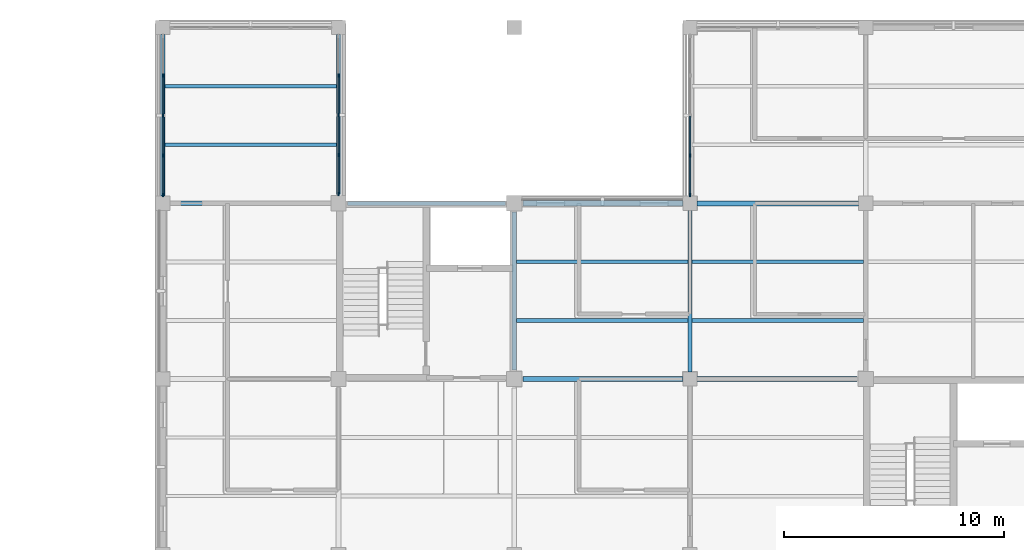
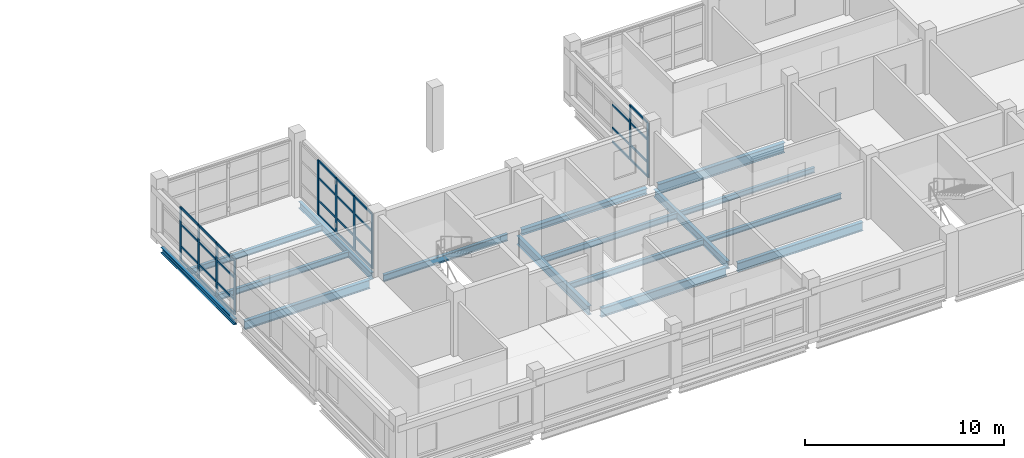
# One storey, part 52 of 107: 41 members, 16 beams, 3 elements without a shape of their own.
"""IFC4 building model written with IfcOpenShell, lengths in metres."""

from ifc_helpers import new_model, si_unit, derived_unit, direction, frame, origin, origin_2d, place, context, subcontext, project, spatial, rectangle, i_section, extrude, material, layer, layer_set, material_profile, profile_set, type_object, element, aggregate, save


model = new_model("IFC4")

# Units and contexts
model_context = context("Model", 3, precision=1e-05, world=origin(), true_north=direction((0.0, 1.0)))
body_context = subcontext(model_context, "Body", "Model", "MODEL_VIEW")
ifc_project = project(units=[si_unit("LENGTHUNIT", "METRE"), si_unit("AREAUNIT", "SQUARE_METRE"), si_unit("VOLUMEUNIT", "CUBIC_METRE"), si_unit("PLANEANGLEUNIT", "RADIAN"), si_unit("MASSUNIT", "GRAM", prefix="KILO"), derived_unit("THERMALTRANSMITTANCEUNIT", [(si_unit("MASSUNIT", "GRAM", prefix="KILO"), 1), (si_unit("TIMEUNIT", "SECOND"), -3), (si_unit("THERMODYNAMICTEMPERATUREUNIT", "KELVIN"), -1)])], contexts=[model_context])

# Site, building, storey
site_placement = place(None, origin())
site = spatial("IfcSite", under=ifc_project, at=site_placement, CompositionType="ELEMENT")
building_placement = place(site_placement, origin())
building = spatial("IfcBuilding", under=site, at=building_placement, Name="Veyamyaing Civic Hall", CompositionType="ELEMENT")
storey_placement = place(building_placement, frame((0.0, 0.0, 13.860107421875)))
storey = spatial("IfcBuildingStorey", under=building, at=storey_placement, Name="L03", CompositionType="ELEMENT", Elevation=13.860107421875)

# Beams
ifc_material_1 = material(Name="Steel ASTM A992", Category="steel")
ifc_material_profile_1 = material_profile(ifc_material_1, i_section(OverallWidth=0.22802734375, OverallDepth=0.60791015625, WebThickness=0.01123046875, FlangeThickness=0.017333984375, FilletRadius=0.012939453125, at=origin_2d()), Name="W610X113")
ifc_profile_set_1 = profile_set([ifc_material_profile_1], Name="Steel ASTM A992")
beam_type_1 = type_object("IfcBeamType", Name="B-06", PredefinedType="BEAM", material=ifc_profile_set_1)
beam_1_placement = place(storey_placement, frame((152.324951171875, 104.0, -0.55908203125), z_axis=(1.0, 0.0, 0.0), x_axis=(0.0, 1.0, 0.0)))
element("IfcBeam", 1, at=beam_1_placement, inside=storey, type_object=beam_type_1, Name="Girder B-06 L03 Grid P 20-21", PredefinedType="BEAM", context=body_context, shape_type="SweptSolid", body=[
    extrude(i_section(OverallWidth=0.22802734375, OverallDepth=0.60791015625, WebThickness=0.01123046875, FlangeThickness=0.017333984375, FilletRadius=0.012939453125, at=origin_2d()), origin(), (0.0, 0.0, 1.0), 7.35009765625),
])
ifc_material_profile_2 = material_profile(ifc_material_1, i_section(OverallWidth=0.208984375, OverallDepth=0.532958984375, WebThickness=0.01025390625, FlangeThickness=0.015625, FilletRadius=0.011962890625, at=origin_2d()), Name="W530X92")
ifc_profile_set_2 = profile_set([ifc_material_profile_2], Name="Steel ASTM A992")
beam_type_2 = type_object("IfcBeamType", Name="B-07", PredefinedType="BEAM", material=ifc_profile_set_2)
beam_2_placement = place(storey_placement, frame((128.324951171875, 104.0, -0.521728515625), z_axis=(1.0, 0.0, 0.0), x_axis=(0.0, 1.0, 0.0)))
element("IfcBeam", 2, at=beam_2_placement, inside=storey, type_object=beam_type_2, Name="Girder B-07 L03 Grid P 17-18", PredefinedType="BEAM", context=body_context, shape_type="SweptSolid", body=[
    extrude(i_section(OverallWidth=0.208984375, OverallDepth=0.532958984375, WebThickness=0.01025390625, FlangeThickness=0.015625, FilletRadius=0.011962890625, at=origin_2d()), origin(), (0.0, 0.0, 1.0), 7.275146484375),
])
ifc_material_profile_3 = material_profile(ifc_material_1, i_section(OverallWidth=0.2041015625, OverallDepth=0.35009765625, WebThickness=0.0078125, FlangeThickness=0.01513671875, FilletRadius=0.010009765625, at=origin_2d()), Name="W360X72")
ifc_profile_set_3 = profile_set([ifc_material_profile_3], Name="Steel ASTM A992")
beam_type_3 = type_object("IfcBeamType", Name="B-11", PredefinedType="SPANDREL", material=ifc_profile_set_3)
beam_3_placement = place(storey_placement, frame((128.0, 104.324951171875, -0.43017578125), z_axis=(0.0, 1.0, 0.0), x_axis=(-1.0, 0.0, 0.0)))
element("IfcBeam", 3, at=beam_3_placement, inside=storey, type_object=beam_type_3, Name="Girder B-11 L03 Grid 17 P-Q", PredefinedType="SPANDREL", context=body_context, shape_type="SweptSolid", body=[
    extrude(i_section(OverallWidth=0.2041015625, OverallDepth=0.35009765625, WebThickness=0.0078125, FlangeThickness=0.01513671875, FilletRadius=0.010009765625, at=origin_2d()), origin(), (0.0, 0.0, 1.0), 7.35009765625),
])
ifc_material_profile_4 = material_profile(ifc_material_1, i_section(OverallWidth=0.214111328125, OverallDepth=0.549072265625, WebThickness=0.0146484375, FlangeThickness=0.023681640625, FilletRadius=0.011962890625, at=origin_2d()), Name="W530X138")
ifc_profile_set_4 = profile_set([ifc_material_profile_4], Name="Steel ASTM A992")
beam_type_4 = type_object("IfcBeamType", Name="B-16", PredefinedType="BEAM", material=ifc_profile_set_4)
beam_4_placement = place(storey_placement, frame((144.39990234375, 96.0, -0.529541015625), z_axis=(1.0, 0.0, 0.0), x_axis=(0.0, 1.0, 0.0)))
element("IfcBeam", 4, at=beam_4_placement, inside=storey, type_object=beam_type_4, Name="Girder B-16 L03 Grid N 19-20", PredefinedType="BEAM", context=body_context, shape_type="SweptSolid", body=[
    extrude(i_section(OverallWidth=0.214111328125, OverallDepth=0.549072265625, WebThickness=0.0146484375, FlangeThickness=0.023681640625, FilletRadius=0.011962890625, at=origin_2d()), origin(), (0.0, 0.0, 1.0), 7.275146484375),
])
ifc_material_profile_5 = material_profile(ifc_material_1, i_section(OverallWidth=0.2109375, OverallDepth=0.5390625, WebThickness=0.01171875, FlangeThickness=0.018798828125, FilletRadius=0.011962890625, at=origin_2d()), Name="W530X109")
ifc_profile_set_5 = profile_set([ifc_material_profile_5], Name="Steel ASTM A992")
beam_type_5 = type_object("IfcBeamType", Name="B-17", PredefinedType="BEAM", material=ifc_profile_set_5)
beam_5_placement = place(storey_placement, frame((152.324951171875, 96.0, -0.524658203125), z_axis=(1.0, 0.0, 0.0), x_axis=(0.0, 1.0, 0.0)))
element("IfcBeam", 5, at=beam_5_placement, inside=storey, type_object=beam_type_5, Name="Girder B-17 L03 Grid N 20-21", PredefinedType="BEAM", context=body_context, shape_type="SweptSolid", body=[
    extrude(i_section(OverallWidth=0.2109375, OverallDepth=0.5390625, WebThickness=0.01171875, FlangeThickness=0.018798828125, FilletRadius=0.011962890625, at=origin_2d()), origin(), (0.0, 0.0, 1.0), 7.275146484375),
])
beam_6_placement = place(storey_placement, frame((144.0, 96.39990234375, -0.524658203125), z_axis=(0.0, 1.0, 0.0), x_axis=(-1.0, 0.0, 0.0)))
element("IfcBeam", 6, at=beam_6_placement, inside=storey, type_object=beam_type_5, Name="Girder B-17 L03 Grid 19 N-P", PredefinedType="BEAM", context=body_context, shape_type="SweptSolid", body=[
    extrude(i_section(OverallWidth=0.2109375, OverallDepth=0.5390625, WebThickness=0.01171875, FlangeThickness=0.018798828125, FilletRadius=0.011962890625, at=origin_2d()), origin(), (0.0, 0.0, 1.0), 7.2001953125),
])
ifc_material_profile_6 = material_profile(ifc_material_1, i_section(OverallWidth=0.194091796875, OverallDepth=0.468994140625, WebThickness=0.0126953125, FlangeThickness=0.0205078125, FilletRadius=0.010009765625, at=origin_2d()), Name="W460X106")
ifc_profile_set_6 = profile_set([ifc_material_profile_6], Name="Steel ASTM A992")
beam_type_6 = type_object("IfcBeamType", Name="B-18", PredefinedType="BEAM", material=ifc_profile_set_6)
beam_7_placement = place(storey_placement, frame((152.0, 96.324951171875, -0.489501953125), z_axis=(0.0, 1.0, 0.0), x_axis=(-1.0, 0.0, 0.0)))
element("IfcBeam", 7, at=beam_7_placement, inside=storey, type_object=beam_type_6, Name="Girder B-18 L03 Grid 20 N-P", PredefinedType="BEAM", context=body_context, shape_type="SweptSolid", body=[
    extrude(i_section(OverallWidth=0.194091796875, OverallDepth=0.468994140625, WebThickness=0.0126953125, FlangeThickness=0.0205078125, FilletRadius=0.010009765625, at=origin_2d()), origin(), (0.0, 0.0, 1.0), 7.35009765625),
])
ifc_material_profile_7 = material_profile(ifc_material_1, i_section(OverallWidth=0.180908203125, OverallDepth=0.4169921875, WebThickness=0.010986328125, FlangeThickness=0.018310546875, FilletRadius=0.010009765625, at=origin_2d()), Name="W410X85")
ifc_profile_set_7 = profile_set([ifc_material_profile_7], Name="Steel ASTM A992")
beam_type_7 = type_object("IfcBeamType", Name="B-19", PredefinedType="SPANDREL", material=ifc_profile_set_7)
beam_8_placement = place(storey_placement, frame((136.39990234375, 104.0, -0.463623046875), z_axis=(1.0, 0.0, 0.0), x_axis=(0.0, 1.0, 0.0)))
element("IfcBeam", 8, at=beam_8_placement, inside=storey, type_object=beam_type_7, Name="Girder B-19 L03 Grid P 18-19", PredefinedType="SPANDREL", context=body_context, shape_type="SweptSolid", body=[
    extrude(i_section(OverallWidth=0.180908203125, OverallDepth=0.4169921875, WebThickness=0.010986328125, FlangeThickness=0.018310546875, FilletRadius=0.010009765625, at=origin_2d()), origin(), (0.0, 0.0, 1.0), 7.2001953125),
])
beam_9_placement = place(storey_placement, frame((136.0, 104.39990234375, -0.463623046875), z_axis=(0.0, 1.0, 0.0), x_axis=(-1.0, 0.0, 0.0)))
element("IfcBeam", 9, at=beam_9_placement, inside=storey, type_object=beam_type_7, Name="Girder B-19 L03 Grid 18 P-Q", PredefinedType="SPANDREL", context=body_context, shape_type="SweptSolid", body=[
    extrude(i_section(OverallWidth=0.180908203125, OverallDepth=0.4169921875, WebThickness=0.010986328125, FlangeThickness=0.018310546875, FilletRadius=0.010009765625, at=origin_2d()), origin(), (0.0, 0.0, 1.0), 7.275146484375),
])
ifc_material_profile_8 = material_profile(ifc_material_1, i_section(OverallWidth=0.25390625, OverallDepth=0.35302734375, WebThickness=0.009521484375, FlangeThickness=0.016357421875, FilletRadius=0.011962890625, at=origin_2d()), Name="W360X91")
ifc_profile_set_8 = profile_set([ifc_material_profile_8], Name="Steel ASTM A992")
beam_type_8 = type_object("IfcBeamType", Name="B-20", PredefinedType="SPANDREL", material=ifc_profile_set_8)
beam_10_placement = place(storey_placement, frame((144.39990234375, 104.0, -0.431640625), z_axis=(1.0, 0.0, 0.0), x_axis=(0.0, 1.0, 0.0)))
element("IfcBeam", 10, at=beam_10_placement, inside=storey, type_object=beam_type_8, Name="Girder B-20 L03 Grid P 19-20", PredefinedType="SPANDREL", context=body_context, shape_type="SweptSolid", body=[
    extrude(i_section(OverallWidth=0.25390625, OverallDepth=0.35302734375, WebThickness=0.009521484375, FlangeThickness=0.016357421875, FilletRadius=0.011962890625, at=origin_2d()), origin(), (0.0, 0.0, 1.0), 7.275146484375),
])

# Curtain wall, members
ifc_material_2 = material(Name="Anodised aluminium 6063-T6", Category="aluminium")
ifc_layer = layer(ifc_material_2, 0.159912109375, Name="Anodised aluminium 6063-T6")
ifc_layer_set = layer_set([ifc_layer], Name="Anodised aluminium 6063-T6")
curtain_wall_type = type_object("IfcCurtainWallType", Name="CW-07", PredefinedType="NOTDEFINED", material=ifc_layer_set)
curtain_wall_1_placement = place(storey_placement, origin())
curtain_wall_1 = element("IfcCurtainWall", 11, at=curtain_wall_1_placement, inside=storey, type_object=curtain_wall_type, Name="Unitized curtain wall CW-07 L03 W 17.14", PredefinedType="NOTDEFINED")
ifc_material_profile_9 = material_profile(ifc_material_2, rectangle(XDim=0.06494140625, YDim=0.159912109375, at=origin_2d()), Name="ALU-MUL-65X160")
ifc_profile_set_9 = profile_set([ifc_material_profile_9], Name="Anodised aluminium 6063-T6")
member_type_1 = type_object("IfcMemberType", Name="CWM-01", PredefinedType="MULLION", material=ifc_profile_set_9)
member_1_placement = place(storey_placement, frame((128.0, 104.387451171875, 0.0), z_axis=(0.0, 0.0, 1.0), x_axis=(-1.0, 0.0, 0.0)))
member_1 = element("IfcMember", 12, at=member_1_placement, type_object=member_type_1, Name="CW-07 mullion 1", PredefinedType="MULLION", context=body_context, shape_type="SweptSolid", body=[
    extrude(rectangle(XDim=0.06494140625, YDim=0.159912109375, at=origin_2d()), origin(), (0.0, 0.0, 1.0), 3.2998046875),
])
member_2_placement = place(storey_placement, frame((128.0, 106.177490234375, 0.0), z_axis=(0.0, 0.0, 1.0), x_axis=(-1.0, 0.0, 0.0)))
member_2 = element("IfcMember", 13, at=member_2_placement, type_object=member_type_1, Name="CW-07 mullion 2", PredefinedType="MULLION", context=body_context, shape_type="SweptSolid", body=[
    extrude(rectangle(XDim=0.06494140625, YDim=0.159912109375, at=origin_2d()), origin(), (0.0, 0.0, 1.0), 3.2998046875),
])
member_3_placement = place(storey_placement, frame((128.0, 108.0, 0.0), z_axis=(0.0, 0.0, 1.0), x_axis=(-1.0, 0.0, 0.0)))
member_3 = element("IfcMember", 14, at=member_3_placement, type_object=member_type_1, Name="CW-07 mullion 3", PredefinedType="MULLION", context=body_context, shape_type="SweptSolid", body=[
    extrude(rectangle(XDim=0.06494140625, YDim=0.159912109375, at=origin_2d()), origin(), (0.0, 0.0, 1.0), 3.2998046875),
])
member_4_placement = place(storey_placement, frame((128.0, 109.822509765625, 0.0), z_axis=(0.0, 0.0, 1.0), x_axis=(-1.0, 0.0, 0.0)))
member_4 = element("IfcMember", 15, at=member_4_placement, type_object=member_type_1, Name="CW-07 mullion 4", PredefinedType="MULLION", context=body_context, shape_type="SweptSolid", body=[
    extrude(rectangle(XDim=0.06494140625, YDim=0.159912109375, at=origin_2d()), origin(), (0.0, 0.0, 1.0), 3.2998046875),
])

curtain_wall_2_placement = place(storey_placement, origin())
curtain_wall_2 = element("IfcCurtainWall", 16, at=curtain_wall_2_placement, inside=storey, type_object=curtain_wall_type, Name="Unitized curtain wall CW-07 L03 E 17.14", PredefinedType="NOTDEFINED")
member_5_placement = place(storey_placement, frame((136.0, 104.41259765625, 0.0), z_axis=(0.0, 0.0, 1.0), x_axis=(-1.0, 0.0, 0.0)))
member_5 = element("IfcMember", 17, at=member_5_placement, type_object=member_type_1, Name="CW-07 mullion 1", PredefinedType="MULLION", context=body_context, shape_type="SweptSolid", body=[
    extrude(rectangle(XDim=0.06494140625, YDim=0.159912109375, at=origin_2d()), origin(), (0.0, 0.0, 1.0), 3.364013671875),
])
member_6_placement = place(storey_placement, frame((136.0, 106.1962890625, 0.0), z_axis=(0.0, 0.0, 1.0), x_axis=(-1.0, 0.0, 0.0)))
member_6 = element("IfcMember", 18, at=member_6_placement, type_object=member_type_1, Name="CW-07 mullion 2", PredefinedType="MULLION", context=body_context, shape_type="SweptSolid", body=[
    extrude(rectangle(XDim=0.06494140625, YDim=0.159912109375, at=origin_2d()), origin(), (0.0, 0.0, 1.0), 3.364013671875),
])
member_7_placement = place(storey_placement, frame((136.0, 108.012451171875, 0.0), z_axis=(0.0, 0.0, 1.0), x_axis=(-1.0, 0.0, 0.0)))
member_7 = element("IfcMember", 19, at=member_7_placement, type_object=member_type_1, Name="CW-07 mullion 3", PredefinedType="MULLION", context=body_context, shape_type="SweptSolid", body=[
    extrude(rectangle(XDim=0.06494140625, YDim=0.159912109375, at=origin_2d()), origin(), (0.0, 0.0, 1.0), 3.364013671875),
])
member_8_placement = place(storey_placement, frame((136.0, 109.828857421875, 0.0), z_axis=(0.0, 0.0, 1.0), x_axis=(-1.0, 0.0, 0.0)))
member_8 = element("IfcMember", 20, at=member_8_placement, type_object=member_type_1, Name="CW-07 mullion 4", PredefinedType="MULLION", context=body_context, shape_type="SweptSolid", body=[
    extrude(rectangle(XDim=0.06494140625, YDim=0.159912109375, at=origin_2d()), origin(), (0.0, 0.0, 1.0), 3.364013671875),
])

curtain_wall_3_placement = place(storey_placement, origin())
curtain_wall_3 = element("IfcCurtainWall", 21, at=curtain_wall_3_placement, inside=storey, type_object=curtain_wall_type, Name="Unitized curtain wall CW-07 L03 W 20.14", PredefinedType="NOTDEFINED")
member_9_placement = place(storey_placement, frame((152.0, 104.387451171875, 0.0), z_axis=(0.0, 0.0, 1.0), x_axis=(-1.0, 0.0, 0.0)))
member_9 = element("IfcMember", 22, at=member_9_placement, type_object=member_type_1, Name="CW-07 mullion 1", PredefinedType="MULLION", context=body_context, shape_type="SweptSolid", body=[
    extrude(rectangle(XDim=0.06494140625, YDim=0.159912109375, at=origin_2d()), origin(), (0.0, 0.0, 1.0), 3.366943359375),
])
member_10_placement = place(storey_placement, frame((152.0, 106.177490234375, 0.0), z_axis=(0.0, 0.0, 1.0), x_axis=(-1.0, 0.0, 0.0)))
member_10 = element("IfcMember", 23, at=member_10_placement, type_object=member_type_1, Name="CW-07 mullion 2", PredefinedType="MULLION", context=body_context, shape_type="SweptSolid", body=[
    extrude(rectangle(XDim=0.06494140625, YDim=0.159912109375, at=origin_2d()), origin(), (0.0, 0.0, 1.0), 3.366943359375),
])

# Member
ifc_material_profile_10 = material_profile(ifc_material_2, rectangle(XDim=0.06494140625, YDim=0.1201171875, at=origin_2d()), Name="ALU-TRN-65X120")
ifc_profile_set_10 = profile_set([ifc_material_profile_10], Name="Anodised aluminium 6063-T6")
member_type_2 = type_object("IfcMemberType", Name="CWT-01", PredefinedType="USERDEFINED", material=ifc_profile_set_10)
member_11_placement = place(storey_placement, frame((128.0, 104.419921875, 0.032470703125), z_axis=(0.0, 1.0, 0.0), x_axis=(-1.0, 0.0, 0.0)))
member_11 = element("IfcMember", 24, at=member_11_placement, type_object=member_type_2, Name="CW-07 transom 1.1", ObjectType="TRANSOM", PredefinedType="USERDEFINED", context=body_context, shape_type="SweptSolid", body=[
    extrude(rectangle(XDim=0.06494140625, YDim=0.1201171875, at=origin_2d()), origin(), (0.0, 0.0, 1.0), 1.72509765625),
])

member_12_placement = place(storey_placement, frame((128.0, 104.419921875, 0.89990234375), z_axis=(0.0, 1.0, 0.0), x_axis=(-1.0, 0.0, 0.0)))
member_12 = element("IfcMember", 25, at=member_12_placement, type_object=member_type_2, Name="CW-07 transom 1.2", ObjectType="TRANSOM", PredefinedType="USERDEFINED", context=body_context, shape_type="SweptSolid", body=[
    extrude(rectangle(XDim=0.06494140625, YDim=0.1201171875, at=origin_2d()), origin(), (0.0, 0.0, 1.0), 1.72509765625),
])

member_13_placement = place(storey_placement, frame((128.0, 104.419921875, 2.243896484375), z_axis=(0.0, 1.0, 0.0), x_axis=(-1.0, 0.0, 0.0)))
member_13 = element("IfcMember", 26, at=member_13_placement, type_object=member_type_2, Name="CW-07 transom 1.3", ObjectType="TRANSOM", PredefinedType="USERDEFINED", context=body_context, shape_type="SweptSolid", body=[
    extrude(rectangle(XDim=0.06494140625, YDim=0.1201171875, at=origin_2d()), origin(), (0.0, 0.0, 1.0), 1.72509765625),
])

member_14_placement = place(storey_placement, frame((128.0, 104.419921875, 3.267333984375), z_axis=(0.0, 1.0, 0.0), x_axis=(-1.0, 0.0, 0.0)))
member_14 = element("IfcMember", 27, at=member_14_placement, type_object=member_type_2, Name="CW-07 transom 1.4", ObjectType="TRANSOM", PredefinedType="USERDEFINED", context=body_context, shape_type="SweptSolid", body=[
    extrude(rectangle(XDim=0.06494140625, YDim=0.1201171875, at=origin_2d()), origin(), (0.0, 0.0, 1.0), 1.72509765625),
])

member_15_placement = place(storey_placement, frame((128.0, 106.2099609375, 0.032470703125), z_axis=(0.0, 1.0, 0.0), x_axis=(-1.0, 0.0, 0.0)))
member_15 = element("IfcMember", 28, at=member_15_placement, type_object=member_type_2, Name="CW-07 transom 2.1", ObjectType="TRANSOM", PredefinedType="USERDEFINED", context=body_context, shape_type="SweptSolid", body=[
    extrude(rectangle(XDim=0.06494140625, YDim=0.1201171875, at=origin_2d()), origin(), (0.0, 0.0, 1.0), 1.757568359375),
])

member_16_placement = place(storey_placement, frame((128.0, 106.2099609375, 0.89990234375), z_axis=(0.0, 1.0, 0.0), x_axis=(-1.0, 0.0, 0.0)))
member_16 = element("IfcMember", 29, at=member_16_placement, type_object=member_type_2, Name="CW-07 transom 2.2", ObjectType="TRANSOM", PredefinedType="USERDEFINED", context=body_context, shape_type="SweptSolid", body=[
    extrude(rectangle(XDim=0.06494140625, YDim=0.1201171875, at=origin_2d()), origin(), (0.0, 0.0, 1.0), 1.757568359375),
])

member_17_placement = place(storey_placement, frame((128.0, 106.2099609375, 2.243896484375), z_axis=(0.0, 1.0, 0.0), x_axis=(-1.0, 0.0, 0.0)))
member_17 = element("IfcMember", 30, at=member_17_placement, type_object=member_type_2, Name="CW-07 transom 2.3", ObjectType="TRANSOM", PredefinedType="USERDEFINED", context=body_context, shape_type="SweptSolid", body=[
    extrude(rectangle(XDim=0.06494140625, YDim=0.1201171875, at=origin_2d()), origin(), (0.0, 0.0, 1.0), 1.757568359375),
])

member_18_placement = place(storey_placement, frame((128.0, 106.2099609375, 3.267333984375), z_axis=(0.0, 1.0, 0.0), x_axis=(-1.0, 0.0, 0.0)))
member_18 = element("IfcMember", 31, at=member_18_placement, type_object=member_type_2, Name="CW-07 transom 2.4", ObjectType="TRANSOM", PredefinedType="USERDEFINED", context=body_context, shape_type="SweptSolid", body=[
    extrude(rectangle(XDim=0.06494140625, YDim=0.1201171875, at=origin_2d()), origin(), (0.0, 0.0, 1.0), 1.757568359375),
])

member_19_placement = place(storey_placement, frame((128.0, 108.032470703125, 0.032470703125), z_axis=(0.0, 1.0, 0.0), x_axis=(-1.0, 0.0, 0.0)))
member_19 = element("IfcMember", 32, at=member_19_placement, type_object=member_type_2, Name="CW-07 transom 3.1", ObjectType="TRANSOM", PredefinedType="USERDEFINED", context=body_context, shape_type="SweptSolid", body=[
    extrude(rectangle(XDim=0.06494140625, YDim=0.1201171875, at=origin_2d()), origin(), (0.0, 0.0, 1.0), 1.757568359375),
])

member_20_placement = place(storey_placement, frame((128.0, 108.032470703125, 0.89990234375), z_axis=(0.0, 1.0, 0.0), x_axis=(-1.0, 0.0, 0.0)))
member_20 = element("IfcMember", 33, at=member_20_placement, type_object=member_type_2, Name="CW-07 transom 3.2", ObjectType="TRANSOM", PredefinedType="USERDEFINED", context=body_context, shape_type="SweptSolid", body=[
    extrude(rectangle(XDim=0.06494140625, YDim=0.1201171875, at=origin_2d()), origin(), (0.0, 0.0, 1.0), 1.757568359375),
])

member_21_placement = place(storey_placement, frame((128.0, 108.032470703125, 2.243896484375), z_axis=(0.0, 1.0, 0.0), x_axis=(-1.0, 0.0, 0.0)))
member_21 = element("IfcMember", 34, at=member_21_placement, type_object=member_type_2, Name="CW-07 transom 3.3", ObjectType="TRANSOM", PredefinedType="USERDEFINED", context=body_context, shape_type="SweptSolid", body=[
    extrude(rectangle(XDim=0.06494140625, YDim=0.1201171875, at=origin_2d()), origin(), (0.0, 0.0, 1.0), 1.757568359375),
])

member_22_placement = place(storey_placement, frame((128.0, 108.032470703125, 3.267333984375), z_axis=(0.0, 1.0, 0.0), x_axis=(-1.0, 0.0, 0.0)))
member_22 = element("IfcMember", 35, at=member_22_placement, type_object=member_type_2, Name="CW-07 transom 3.4", ObjectType="TRANSOM", PredefinedType="USERDEFINED", context=body_context, shape_type="SweptSolid", body=[
    extrude(rectangle(XDim=0.06494140625, YDim=0.1201171875, at=origin_2d()), origin(), (0.0, 0.0, 1.0), 1.757568359375),
])

aggregate(curtain_wall_1, [member_1, member_2, member_3, member_4, member_11, member_12, member_13, member_14, member_15, member_16, member_17, member_18, member_19, member_20, member_21, member_22])

member_23_placement = place(storey_placement, frame((136.0, 104.445068359375, 0.032470703125), z_axis=(0.0, 1.0, 0.0), x_axis=(-1.0, 0.0, 0.0)))
member_23 = element("IfcMember", 36, at=member_23_placement, type_object=member_type_2, Name="CW-07 transom 1.1", ObjectType="TRANSOM", PredefinedType="USERDEFINED", context=body_context, shape_type="SweptSolid", body=[
    extrude(rectangle(XDim=0.06494140625, YDim=0.1201171875, at=origin_2d()), origin(), (0.0, 0.0, 1.0), 1.71875),
])

member_24_placement = place(storey_placement, frame((136.0, 104.445068359375, 0.89990234375), z_axis=(0.0, 1.0, 0.0), x_axis=(-1.0, 0.0, 0.0)))
member_24 = element("IfcMember", 37, at=member_24_placement, type_object=member_type_2, Name="CW-07 transom 1.2", ObjectType="TRANSOM", PredefinedType="USERDEFINED", context=body_context, shape_type="SweptSolid", body=[
    extrude(rectangle(XDim=0.06494140625, YDim=0.1201171875, at=origin_2d()), origin(), (0.0, 0.0, 1.0), 1.71875),
])

member_25_placement = place(storey_placement, frame((136.0, 104.445068359375, 2.287353515625), z_axis=(0.0, 1.0, 0.0), x_axis=(-1.0, 0.0, 0.0)))
member_25 = element("IfcMember", 38, at=member_25_placement, type_object=member_type_2, Name="CW-07 transom 1.3", ObjectType="TRANSOM", PredefinedType="USERDEFINED", context=body_context, shape_type="SweptSolid", body=[
    extrude(rectangle(XDim=0.06494140625, YDim=0.1201171875, at=origin_2d()), origin(), (0.0, 0.0, 1.0), 1.71875),
])

member_26_placement = place(storey_placement, frame((136.0, 104.445068359375, 3.331298828125), z_axis=(0.0, 1.0, 0.0), x_axis=(-1.0, 0.0, 0.0)))
member_26 = element("IfcMember", 39, at=member_26_placement, type_object=member_type_2, Name="CW-07 transom 1.4", ObjectType="TRANSOM", PredefinedType="USERDEFINED", context=body_context, shape_type="SweptSolid", body=[
    extrude(rectangle(XDim=0.06494140625, YDim=0.1201171875, at=origin_2d()), origin(), (0.0, 0.0, 1.0), 1.71875),
])

member_27_placement = place(storey_placement, frame((136.0, 106.228759765625, 0.032470703125), z_axis=(0.0, 1.0, 0.0), x_axis=(-1.0, 0.0, 0.0)))
member_27 = element("IfcMember", 40, at=member_27_placement, type_object=member_type_2, Name="CW-07 transom 2.1", ObjectType="TRANSOM", PredefinedType="USERDEFINED", context=body_context, shape_type="SweptSolid", body=[
    extrude(rectangle(XDim=0.06494140625, YDim=0.1201171875, at=origin_2d()), origin(), (0.0, 0.0, 1.0), 1.751220703125),
])

member_28_placement = place(storey_placement, frame((136.0, 106.228759765625, 0.89990234375), z_axis=(0.0, 1.0, 0.0), x_axis=(-1.0, 0.0, 0.0)))
member_28 = element("IfcMember", 41, at=member_28_placement, type_object=member_type_2, Name="CW-07 transom 2.2", ObjectType="TRANSOM", PredefinedType="USERDEFINED", context=body_context, shape_type="SweptSolid", body=[
    extrude(rectangle(XDim=0.06494140625, YDim=0.1201171875, at=origin_2d()), origin(), (0.0, 0.0, 1.0), 1.751220703125),
])

member_29_placement = place(storey_placement, frame((136.0, 106.228759765625, 2.287353515625), z_axis=(0.0, 1.0, 0.0), x_axis=(-1.0, 0.0, 0.0)))
member_29 = element("IfcMember", 42, at=member_29_placement, type_object=member_type_2, Name="CW-07 transom 2.3", ObjectType="TRANSOM", PredefinedType="USERDEFINED", context=body_context, shape_type="SweptSolid", body=[
    extrude(rectangle(XDim=0.06494140625, YDim=0.1201171875, at=origin_2d()), origin(), (0.0, 0.0, 1.0), 1.751220703125),
])

member_30_placement = place(storey_placement, frame((136.0, 106.228759765625, 3.331298828125), z_axis=(0.0, 1.0, 0.0), x_axis=(-1.0, 0.0, 0.0)))
member_30 = element("IfcMember", 43, at=member_30_placement, type_object=member_type_2, Name="CW-07 transom 2.4", ObjectType="TRANSOM", PredefinedType="USERDEFINED", context=body_context, shape_type="SweptSolid", body=[
    extrude(rectangle(XDim=0.06494140625, YDim=0.1201171875, at=origin_2d()), origin(), (0.0, 0.0, 1.0), 1.751220703125),
])

member_31_placement = place(storey_placement, frame((136.0, 108.044921875, 0.032470703125), z_axis=(0.0, 1.0, 0.0), x_axis=(-1.0, 0.0, 0.0)))
member_31 = element("IfcMember", 44, at=member_31_placement, type_object=member_type_2, Name="CW-07 transom 3.1", ObjectType="TRANSOM", PredefinedType="USERDEFINED", context=body_context, shape_type="SweptSolid", body=[
    extrude(rectangle(XDim=0.06494140625, YDim=0.1201171875, at=origin_2d()), origin(), (0.0, 0.0, 1.0), 1.751220703125),
])

member_32_placement = place(storey_placement, frame((136.0, 108.044921875, 0.89990234375), z_axis=(0.0, 1.0, 0.0), x_axis=(-1.0, 0.0, 0.0)))
member_32 = element("IfcMember", 45, at=member_32_placement, type_object=member_type_2, Name="CW-07 transom 3.2", ObjectType="TRANSOM", PredefinedType="USERDEFINED", context=body_context, shape_type="SweptSolid", body=[
    extrude(rectangle(XDim=0.06494140625, YDim=0.1201171875, at=origin_2d()), origin(), (0.0, 0.0, 1.0), 1.751220703125),
])

member_33_placement = place(storey_placement, frame((136.0, 108.044921875, 2.287353515625), z_axis=(0.0, 1.0, 0.0), x_axis=(-1.0, 0.0, 0.0)))
member_33 = element("IfcMember", 46, at=member_33_placement, type_object=member_type_2, Name="CW-07 transom 3.3", ObjectType="TRANSOM", PredefinedType="USERDEFINED", context=body_context, shape_type="SweptSolid", body=[
    extrude(rectangle(XDim=0.06494140625, YDim=0.1201171875, at=origin_2d()), origin(), (0.0, 0.0, 1.0), 1.751220703125),
])

member_34_placement = place(storey_placement, frame((136.0, 108.044921875, 3.331298828125), z_axis=(0.0, 1.0, 0.0), x_axis=(-1.0, 0.0, 0.0)))
member_34 = element("IfcMember", 47, at=member_34_placement, type_object=member_type_2, Name="CW-07 transom 3.4", ObjectType="TRANSOM", PredefinedType="USERDEFINED", context=body_context, shape_type="SweptSolid", body=[
    extrude(rectangle(XDim=0.06494140625, YDim=0.1201171875, at=origin_2d()), origin(), (0.0, 0.0, 1.0), 1.751220703125),
])

aggregate(curtain_wall_2, [member_5, member_6, member_7, member_8, member_23, member_24, member_25, member_26, member_27, member_28, member_29, member_30, member_31, member_32, member_33, member_34])

member_35_placement = place(storey_placement, frame((152.0, 104.419921875, 0.032470703125), z_axis=(0.0, 1.0, 0.0), x_axis=(-1.0, 0.0, 0.0)))
member_35 = element("IfcMember", 48, at=member_35_placement, type_object=member_type_2, Name="CW-07 transom 1.1", ObjectType="TRANSOM", PredefinedType="USERDEFINED", context=body_context, shape_type="SweptSolid", body=[
    extrude(rectangle(XDim=0.06494140625, YDim=0.1201171875, at=origin_2d()), origin(), (0.0, 0.0, 1.0), 1.72509765625),
])

member_36_placement = place(storey_placement, frame((152.0, 104.419921875, 0.89990234375), z_axis=(0.0, 1.0, 0.0), x_axis=(-1.0, 0.0, 0.0)))
member_36 = element("IfcMember", 49, at=member_36_placement, type_object=member_type_2, Name="CW-07 transom 1.2", ObjectType="TRANSOM", PredefinedType="USERDEFINED", context=body_context, shape_type="SweptSolid", body=[
    extrude(rectangle(XDim=0.06494140625, YDim=0.1201171875, at=origin_2d()), origin(), (0.0, 0.0, 1.0), 1.72509765625),
])

member_37_placement = place(storey_placement, frame((152.0, 104.419921875, 2.28955078125), z_axis=(0.0, 1.0, 0.0), x_axis=(-1.0, 0.0, 0.0)))
member_37 = element("IfcMember", 50, at=member_37_placement, type_object=member_type_2, Name="CW-07 transom 1.3", ObjectType="TRANSOM", PredefinedType="USERDEFINED", context=body_context, shape_type="SweptSolid", body=[
    extrude(rectangle(XDim=0.06494140625, YDim=0.1201171875, at=origin_2d()), origin(), (0.0, 0.0, 1.0), 1.72509765625),
])

member_38_placement = place(storey_placement, frame((152.0, 104.419921875, 3.33447265625), z_axis=(0.0, 1.0, 0.0), x_axis=(-1.0, 0.0, 0.0)))
member_38 = element("IfcMember", 51, at=member_38_placement, type_object=member_type_2, Name="CW-07 transom 1.4", ObjectType="TRANSOM", PredefinedType="USERDEFINED", context=body_context, shape_type="SweptSolid", body=[
    extrude(rectangle(XDim=0.06494140625, YDim=0.1201171875, at=origin_2d()), origin(), (0.0, 0.0, 1.0), 1.72509765625),
])

member_39_placement = place(storey_placement, frame((152.0, 106.2099609375, 0.032470703125), z_axis=(0.0, 1.0, 0.0), x_axis=(-1.0, 0.0, 0.0)))
member_39 = element("IfcMember", 52, at=member_39_placement, type_object=member_type_2, Name="CW-07 transom 2.1", ObjectType="TRANSOM", PredefinedType="USERDEFINED", context=body_context, shape_type="SweptSolid", body=[
    extrude(rectangle(XDim=0.06494140625, YDim=0.1201171875, at=origin_2d()), origin(), (0.0, 0.0, 1.0), 1.757568359375),
])

member_40_placement = place(storey_placement, frame((152.0, 106.2099609375, 0.89990234375), z_axis=(0.0, 1.0, 0.0), x_axis=(-1.0, 0.0, 0.0)))
member_40 = element("IfcMember", 53, at=member_40_placement, type_object=member_type_2, Name="CW-07 transom 2.2", ObjectType="TRANSOM", PredefinedType="USERDEFINED", context=body_context, shape_type="SweptSolid", body=[
    extrude(rectangle(XDim=0.06494140625, YDim=0.1201171875, at=origin_2d()), origin(), (0.0, 0.0, 1.0), 1.757568359375),
])

member_41_placement = place(storey_placement, frame((152.0, 106.2099609375, 2.28955078125), z_axis=(0.0, 1.0, 0.0), x_axis=(-1.0, 0.0, 0.0)))
member_41 = element("IfcMember", 54, at=member_41_placement, type_object=member_type_2, Name="CW-07 transom 2.3", ObjectType="TRANSOM", PredefinedType="USERDEFINED", context=body_context, shape_type="SweptSolid", body=[
    extrude(rectangle(XDim=0.06494140625, YDim=0.1201171875, at=origin_2d()), origin(), (0.0, 0.0, 1.0), 1.757568359375),
])

aggregate(curtain_wall_3, [member_9, member_10, member_35, member_36, member_37, member_38, member_39, member_40, member_41])

# Beams
ifc_material_profile_11 = material_profile(ifc_material_1, i_section(OverallWidth=0.172119140625, OverallDepth=0.35791015625, WebThickness=0.0078125, FlangeThickness=0.01318359375, FilletRadius=0.010009765625, at=origin_2d()), Name="W360X57")
ifc_profile_set_11 = profile_set([ifc_material_profile_11], Name="Steel ASTM A992")
beam_type_9 = type_object("IfcBeamType", Name="J-02", PredefinedType="JOIST", material=ifc_profile_set_11)
for number, where, z_axis, x_axis, name in (
    (55, (128.10009765625, 106.666748046875, -0.43408203125), (1.0, 0.0, 0.0), (0.0, 1.0, 0.0), "Composite floor joist J-02 L03 17.14.1"),
    (56, (128.10009765625, 109.333251953125, -0.43408203125), (1.0, 0.0, 0.0), (0.0, 1.0, 0.0), "Composite floor joist J-02 L03 17.14.2"),
):
    element("IfcBeam", number, at=place(storey_placement, frame(where, z_axis=z_axis, x_axis=x_axis)), inside=storey, type_object=beam_type_9, Name=name, PredefinedType="JOIST", context=body_context, shape_type="SweptSolid", body=[
        extrude(i_section(OverallWidth=0.172119140625, OverallDepth=0.35791015625, WebThickness=0.0078125, FlangeThickness=0.01318359375, FilletRadius=0.010009765625, at=origin_2d()), origin(), (0.0, 0.0, 1.0), 7.8115234375),
    ])
ifc_material_profile_12 = material_profile(ifc_material_1, i_section(OverallWidth=0.1708984375, OverallDepth=0.35205078125, WebThickness=0.0068359375, FlangeThickness=0.009765625, FilletRadius=0.010009765625, at=origin_2d()), Name="W360X44")
ifc_profile_set_12 = profile_set([ifc_material_profile_12], Name="Steel ASTM A992")
beam_type_10 = type_object("IfcBeamType", Name="J-03", PredefinedType="JOIST", material=ifc_profile_set_12)
for number, where, z_axis, x_axis, name in (
    (57, (144.103515625, 98.666748046875, -0.43115234375), (1.0, 0.0, 0.0), (0.0, 1.0, 0.0), "Composite floor joist J-03 L03 19.13.1"),
    (58, (144.103515625, 101.333251953125, -0.43115234375), (1.0, 0.0, 0.0), (0.0, 1.0, 0.0), "Composite floor joist J-03 L03 19.13.2"),
):
    element("IfcBeam", number, at=place(storey_placement, frame(where, z_axis=z_axis, x_axis=x_axis)), inside=storey, type_object=beam_type_10, Name=name, PredefinedType="JOIST", context=body_context, shape_type="SweptSolid", body=[
        extrude(i_section(OverallWidth=0.1708984375, OverallDepth=0.35205078125, WebThickness=0.0068359375, FlangeThickness=0.009765625, FilletRadius=0.010009765625, at=origin_2d()), origin(), (0.0, 0.0, 1.0), 7.801513671875),
    ])
ifc_material_profile_13 = material_profile(ifc_material_1, i_section(OverallWidth=0.1669921875, OverallDepth=0.318115234375, WebThickness=0.007568359375, FlangeThickness=0.01318359375, FilletRadius=0.010009765625, at=origin_2d()), Name="W310X52")
ifc_profile_set_13 = profile_set([ifc_material_profile_13], Name="Steel ASTM A992")
beam_type_11 = type_object("IfcBeamType", Name="J-04", PredefinedType="JOIST", material=ifc_profile_set_13)
for number, where, z_axis, x_axis, name in (
    (59, (152.094970703125, 98.666748046875, -0.4140625), (1.0, 0.0, 0.0), (0.0, 1.0, 0.0), "Composite floor joist J-04 L03 20.13.1"),
    (60, (152.094970703125, 101.333251953125, -0.4140625), (1.0, 0.0, 0.0), (0.0, 1.0, 0.0), "Composite floor joist J-04 L03 20.13.2"),
):
    element("IfcBeam", number, at=place(storey_placement, frame(where, z_axis=z_axis, x_axis=x_axis)), inside=storey, type_object=beam_type_11, Name=name, PredefinedType="JOIST", context=body_context, shape_type="SweptSolid", body=[
        extrude(i_section(OverallWidth=0.1669921875, OverallDepth=0.318115234375, WebThickness=0.007568359375, FlangeThickness=0.01318359375, FilletRadius=0.010009765625, at=origin_2d()), origin(), (0.0, 0.0, 1.0), 7.802490234375),
    ])

save(model, "model.ifc")
